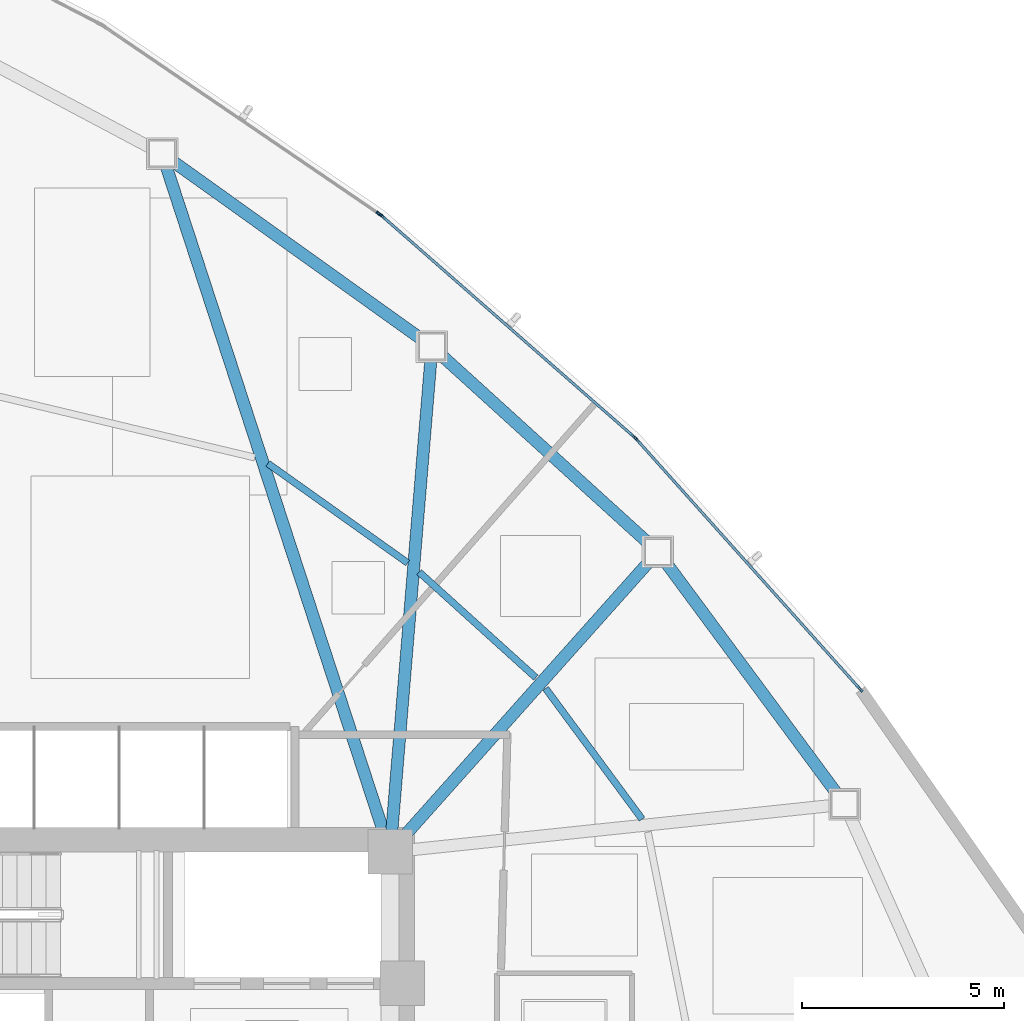
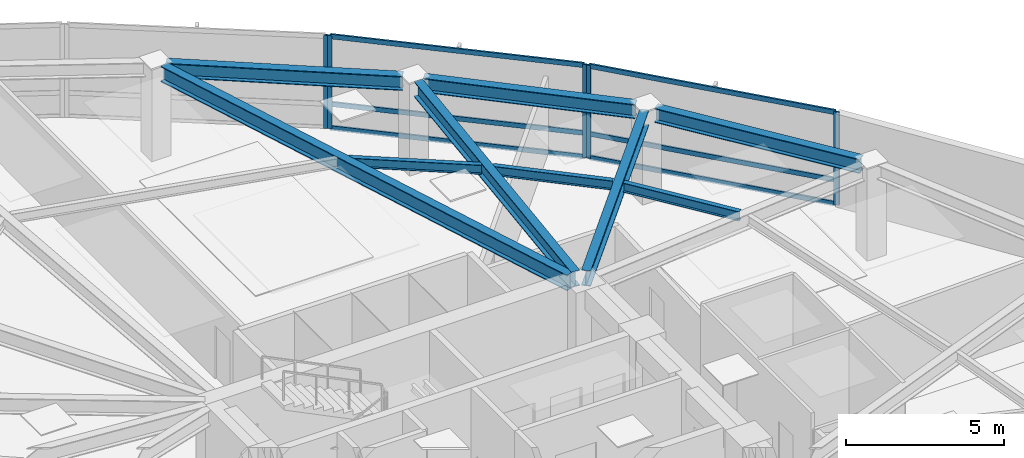
# One storey, part 9 of 17: 11 members, 9 beams, 3 elements without a shape of their own.
"""IFC4 building model written with IfcOpenShell, lengths in metres."""

from ifc_helpers import new_model, si_unit, direction, frame, origin, origin_2d, place, context, subcontext, project, spatial, hollow_rectangle, i_section, extrude, source, transform, mapped, material, layer, layer_set, material_profile, profile_set, type_object, type_shapes, element, aggregate, save


model = new_model("IFC4")

# Units and contexts
model_context = context("Model", 3, precision=1e-05, world=origin(), true_north=direction((0.0, 1.0)))
body_context = subcontext(model_context, "Body", "Model", "MODEL_VIEW")
ifc_project = project(units=[si_unit("LENGTHUNIT", "METRE"), si_unit("AREAUNIT", "SQUARE_METRE"), si_unit("VOLUMEUNIT", "CUBIC_METRE"), si_unit("PLANEANGLEUNIT", "RADIAN"), si_unit("MASSUNIT", "GRAM", prefix="KILO")], contexts=[model_context])

# Site, building, storey
site_placement = place(None, origin())
site = spatial("IfcSite", under=ifc_project, at=site_placement, CompositionType="ELEMENT")
building_placement = place(site_placement, origin())
building = spatial("IfcBuilding", under=site, at=building_placement, Name="Tavelor Broadcast Tower", CompositionType="ELEMENT")
storey_placement = place(building_placement, frame((0.0, 0.0, 90.0)))
storey = spatial("IfcBuildingStorey", under=building, at=storey_placement, Name="L21", CompositionType="ELEMENT", Elevation=90.0)

# Beams
ifc_material_1 = material(Name="Steel S355", Category="steel")
ifc_material_profile_1 = material_profile(ifc_material_1, i_section(OverallWidth=0.169921875, OverallDepth=0.360107421875, WebThickness=0.008056640625, FlangeThickness=0.0126953125, at=origin_2d()), Name="IPE 360")
ifc_profile_set_1 = profile_set([ifc_material_profile_1], Name="Steel S355")
beam_type_1 = type_object("IfcBeamType", Name="Composite Floor Joist T2 IPE 360", PredefinedType="JOIST", material=ifc_profile_set_1)
beam_1_placement = place(storey_placement, frame((62.831298828125, 52.012451171875, 3.419921875), z_axis=(-0.593748309908, 0.804650821463, 0.0), x_axis=(-0.804650821463, -0.593748309908, 0.0)))
element("IfcBeam", 1, at=beam_1_placement, inside=storey, type_object=beam_type_1, Name="L21 Secondary Composite Floor Joist 15", PredefinedType="JOIST", context=body_context, shape_type="SweptSolid", body=[
    extrude(i_section(OverallWidth=0.169921875, OverallDepth=0.360107421875, WebThickness=0.008056640625, FlangeThickness=0.0126953125, at=origin_2d()), origin(), (0.0, 0.0, 1.0), 4.016845703125),
])
beam_2_placement = place(storey_placement, frame((60.20458984375, 55.51171875, 3.419921875), z_axis=(-0.741870075826, 0.670543653011, 0.0), x_axis=(-0.670543653011, -0.741870075826, 0.0)))
element("IfcBeam", 2, at=beam_2_placement, inside=storey, type_object=beam_type_1, Name="L21 Secondary Composite Floor Joist 16", PredefinedType="JOIST", context=body_context, shape_type="SweptSolid", body=[
    extrude(i_section(OverallWidth=0.169921875, OverallDepth=0.360107421875, WebThickness=0.008056640625, FlangeThickness=0.0126953125, at=origin_2d()), origin(), (0.0, 0.0, 1.0), 3.891845703125),
])
beam_3_placement = place(storey_placement, frame((57.03564453125, 58.34765625, 3.419921875), z_axis=(-0.814948080737, 0.579533972864, 0.0), x_axis=(-0.579533972864, -0.814948080737, 0.0)))
element("IfcBeam", 3, at=beam_3_placement, inside=storey, type_object=beam_type_1, Name="L21 Secondary Composite Floor Joist 17", PredefinedType="JOIST", context=body_context, shape_type="SweptSolid", body=[
    extrude(i_section(OverallWidth=0.169921875, OverallDepth=0.360107421875, WebThickness=0.008056640625, FlangeThickness=0.0126953125, at=origin_2d()), origin(), (0.0, 0.0, 1.0), 4.24462890625),
])
ifc_material_profile_2 = material_profile(ifc_material_1, i_section(OverallWidth=0.300048828125, OverallDepth=0.550048828125, WebThickness=0.014892578125, FlangeThickness=0.029052734375, at=origin_2d()), Name="HEB 550")
ifc_profile_set_2 = profile_set([ifc_material_profile_2], Name="Steel S355")
beam_type_2 = type_object("IfcBeamType", Name="Perimeter Spandrel Beam T2 HEB 550", PredefinedType="SPANDREL", material=ifc_profile_set_2)
beam_4_placement = place(storey_placement, frame((67.640869140625, 52.652587890625, 3.324951171875), z_axis=(-0.594676591659, 0.803965018724, 0.0), x_axis=(-0.803965018724, -0.594676591659, 0.0)))
element("IfcBeam", 4, at=beam_4_placement, inside=storey, type_object=beam_type_2, Name="L21 Framed-Tube Ring Spandrel 15", PredefinedType="SPANDREL", context=body_context, shape_type="SweptSolid", body=[
    extrude(i_section(OverallWidth=0.300048828125, OverallDepth=0.550048828125, WebThickness=0.014892578125, FlangeThickness=0.029052734375, at=origin_2d()), origin(), (0.0, 0.0, 1.0), 7.09130859375),
])
beam_5_placement = place(storey_placement, frame((62.975341796875, 58.849609375, 3.324951171875), z_axis=(-0.740416987409, 0.672147814663, 0.0), x_axis=(-0.672147814663, -0.740416987409, 0.0)))
element("IfcBeam", 5, at=beam_5_placement, inside=storey, type_object=beam_type_2, Name="L21 Framed-Tube Ring Spandrel 16", PredefinedType="SPANDREL", context=body_context, shape_type="SweptSolid", body=[
    extrude(i_section(OverallWidth=0.300048828125, OverallDepth=0.550048828125, WebThickness=0.014892578125, FlangeThickness=0.029052734375, at=origin_2d()), origin(), (0.0, 0.0, 1.0), 6.876953125),
])
beam_6_placement = place(storey_placement, frame((57.361572265625, 63.893310546875, 3.324951171875), z_axis=(-0.813492458128, 0.581575464208, 0.0), x_axis=(-0.581575464208, -0.813492458128, 0.0)))
element("IfcBeam", 6, at=beam_6_placement, inside=storey, type_object=beam_type_2, Name="L21 Framed-Tube Ring Spandrel 17", PredefinedType="SPANDREL", context=body_context, shape_type="SweptSolid", body=[
    extrude(i_section(OverallWidth=0.300048828125, OverallDepth=0.550048828125, WebThickness=0.014892578125, FlangeThickness=0.029052734375, at=origin_2d()), origin(), (0.0, 0.0, 1.0), 7.531005859375),
])
ifc_material_profile_3 = material_profile(ifc_material_1, i_section(OverallWidth=0.300048828125, OverallDepth=0.60009765625, WebThickness=0.015380859375, FlangeThickness=0.030029296875, at=origin_2d()), Name="HEB 600")
ifc_profile_set_3 = profile_set([ifc_material_profile_3], Name="Steel S355")
beam_type_3 = type_object("IfcBeamType", Name="Radial Floor Girder T2 HEB 600", PredefinedType="BEAM", material=ifc_profile_set_3)
beam_7_placement = place(storey_placement, frame((56.951416015625, 51.593994140625, 3.300048828125), z_axis=(0.665778646807, 0.74614931043, 0.0), x_axis=(-0.74614931043, 0.665778646807, 0.0)))
element("IfcBeam", 7, at=beam_7_placement, inside=storey, type_object=beam_type_3, Name="L21 Radial Primary Floor Girder 16", PredefinedType="BEAM", context=body_context, shape_type="SweptSolid", body=[
    extrude(i_section(OverallWidth=0.300048828125, OverallDepth=0.60009765625, WebThickness=0.015380859375, FlangeThickness=0.030029296875, at=origin_2d()), origin(), (0.0, 0.0, 1.0), 9.085693359375),
])
beam_8_placement = place(storey_placement, frame((56.6435546875, 51.726318359375, 3.300048828125), z_axis=(0.082528077466, 0.996588739867, 0.0), x_axis=(-0.996588739867, 0.082528077466, 0.0)))
element("IfcBeam", 8, at=beam_8_placement, inside=storey, type_object=beam_type_3, Name="L21 Radial Primary Floor Girder 17", PredefinedType="BEAM", context=body_context, shape_type="SweptSolid", body=[
    extrude(i_section(OverallWidth=0.300048828125, OverallDepth=0.60009765625, WebThickness=0.015380859375, FlangeThickness=0.030029296875, at=origin_2d()), origin(), (0.0, 0.0, 1.0), 11.67626953125),
])
beam_9_placement = place(storey_placement, frame((56.43603515625, 51.701904296875, 3.300048828125), z_axis=(-0.310367170997, 0.950616757251, 0.0), x_axis=(-0.950616757251, -0.310367170997, 0.0)))
element("IfcBeam", 9, at=beam_9_placement, inside=storey, type_object=beam_type_3, Name="L21 Radial Primary Floor Girder 18", PredefinedType="BEAM", context=body_context, shape_type="SweptSolid", body=[
    extrude(i_section(OverallWidth=0.300048828125, OverallDepth=0.60009765625, WebThickness=0.015380859375, FlangeThickness=0.030029296875, at=origin_2d()), origin(), (0.0, 0.0, 1.0), 17.3017578125),
])

# Curtain wall, members
ifc_material_2 = material(Name="Architectural Anodized Aluminium", Category="aluminium")
ifc_layer = layer(ifc_material_2, 0.179931640625)
ifc_layer_set = layer_set([ifc_layer], Name="Architectural Anodized Aluminium")
curtain_wall_type = type_object("IfcCurtainWallType", Name="Tower Low-Zone Unitised Curtain Wall CW02", PredefinedType="NOTDEFINED", material=ifc_layer_set)
curtain_wall_1_placement = place(storey_placement, origin())
curtain_wall_1 = element("IfcCurtainWall", 10, at=curtain_wall_1_placement, inside=storey, type_object=curtain_wall_type, Name="L21 Curtain Wall CW02 Run 213", PredefinedType="NOTDEFINED")
ifc_material_profile_4 = material_profile(ifc_material_2, hollow_rectangle(XDim=0.06494140625, YDim=0.179931640625, WallThickness=0.02197265625, at=origin_2d()), Name="RHS 65x180x22")
ifc_profile_set_4 = profile_set([ifc_material_profile_4], Name="Architectural Anodized Aluminium")
member_type_1 = type_object("IfcMemberType", Name="CW02 Extruded Aluminium Mullion 65x180", PredefinedType="MULLION", material=ifc_profile_set_4)
shared_shape_1 = source(origin(), body_context, "Body", "SweptSolid", [
    extrude(hollow_rectangle(XDim=0.06494140625, YDim=0.179931640625, WallThickness=0.02197265625, at=origin_2d()), origin(), (0.0, 0.0, 1.0), 3.60009765625),
])
type_shapes(member_type_1, [shared_shape_1])
member_1_placement = place(storey_placement, frame((68.221435546875, 55.228515625, 0.0), z_axis=(0.0, 0.0, 1.0), x_axis=(-0.745176778207, -0.666866980155, 0.0)))
member_1 = element("IfcMember", 11, at=member_1_placement, type_object=member_type_1, Name="CW02 mullion 1", PredefinedType="MULLION", context=body_context, shape_type="MappedRepresentation", body=[
    mapped(shared_shape_1, transform((0.0, 0.0, 0.0), scale=1.0)),
])
member_2_placement = place(storey_placement, frame((62.697265625, 61.4013671875, 0.0), z_axis=(0.0, 0.0, 1.0), x_axis=(-0.745176778207, -0.666866980155, 0.0)))
member_2 = element("IfcMember", 12, at=member_2_placement, type_object=member_type_1, Name="CW02 mullion 2", PredefinedType="MULLION", context=body_context, shape_type="MappedRepresentation", body=[
    mapped(shared_shape_1, transform((0.0, 0.0, 0.0), scale=1.0)),
])

curtain_wall_2_placement = place(storey_placement, origin())
curtain_wall_2 = element("IfcCurtainWall", 13, at=curtain_wall_2_placement, inside=storey, type_object=curtain_wall_type, Name="L21 Curtain Wall CW02 Run 214", PredefinedType="NOTDEFINED")
member_3_placement = place(storey_placement, frame((62.6298828125, 61.46826171875, 0.0), z_axis=(0.0, 0.0, 1.0), x_axis=(-0.659009064138, -0.752134996782, 0.0)))
member_3 = element("IfcMember", 14, at=member_3_placement, type_object=member_type_1, Name="CW02 mullion 1", PredefinedType="MULLION", context=body_context, shape_type="MappedRepresentation", body=[
    mapped(shared_shape_1, transform((0.0, 0.0, 0.0), scale=1.0)),
])
member_4_placement = place(storey_placement, frame((56.41064453125, 66.91748046875, 0.0), z_axis=(0.0, 0.0, 1.0), x_axis=(-0.659009064138, -0.752134996782, 0.0)))
member_4 = element("IfcMember", 15, at=member_4_placement, type_object=member_type_1, Name="CW02 mullion 2", PredefinedType="MULLION", context=body_context, shape_type="MappedRepresentation", body=[
    mapped(shared_shape_1, transform((0.0, 0.0, 0.0), scale=1.0)),
])

# Curtain wall, member
curtain_wall_3_placement = place(storey_placement, origin())
curtain_wall_3 = element("IfcCurtainWall", 16, at=curtain_wall_3_placement, inside=storey, type_object=curtain_wall_type, Name="L21 Curtain Wall CW02 Run 215", PredefinedType="NOTDEFINED")
member_5_placement = place(storey_placement, frame((56.335693359375, 66.9755859375, 0.0), z_axis=(0.0, 0.0, 1.0), x_axis=(-0.563166658755, -0.826343339337, 0.0)))
member_5 = element("IfcMember", 17, at=member_5_placement, type_object=member_type_1, Name="CW02 mullion 1", PredefinedType="MULLION", context=body_context, shape_type="MappedRepresentation", body=[
    mapped(shared_shape_1, transform((0.0, 0.0, 0.0), scale=1.0)),
])
aggregate(curtain_wall_3, [member_5])

# Member
ifc_material_profile_5 = material_profile(ifc_material_2, hollow_rectangle(XDim=0.06494140625, YDim=0.179931640625, WallThickness=0.02197265625, at=origin_2d()), Name="RHS 65x180x22")
ifc_profile_set_5 = profile_set([ifc_material_profile_5], Name="Architectural Anodized Aluminium")
member_type_2 = type_object("IfcMemberType", Name="CW02 Extruded Aluminium Transom 65x180", PredefinedType="USERDEFINED", material=ifc_profile_set_5)
shared_shape_2 = source(origin(), body_context, "Body", "SweptSolid", [
    extrude(hollow_rectangle(XDim=0.06494140625, YDim=0.179931640625, WallThickness=0.02197265625, at=origin_2d()), origin(), (0.0, 0.0, 1.0), 8.218994140625),
])
member_6_placement = place(storey_placement, frame((68.199951171875, 55.252685546875, 0.032470703125), z_axis=(-0.666871265679, 0.745172943021, 0.0), x_axis=(-0.745172943021, -0.666871265679, 0.0)))
member_6 = element("IfcMember", 18, at=member_6_placement, type_object=member_type_2, Name="CW02 transom 1.1", ObjectType="TRANSOM", PredefinedType="USERDEFINED", context=body_context, shape_type="MappedRepresentation", body=[
    mapped(shared_shape_2, transform((0.0, 0.0, 0.0), scale=1.0)),
])

member_7_placement = place(storey_placement, frame((68.199951171875, 55.252685546875, 0.949951171875), z_axis=(-0.666871265679, 0.745172943021, 0.0), x_axis=(-0.745172943021, -0.666871265679, 0.0)))
member_7 = element("IfcMember", 19, at=member_7_placement, type_object=member_type_2, Name="CW02 transom 1.2", ObjectType="TRANSOM", PredefinedType="USERDEFINED", context=body_context, shape_type="MappedRepresentation", body=[
    mapped(shared_shape_2, transform((0.0, 0.0, 0.0), scale=1.0)),
])

member_8_placement = place(storey_placement, frame((68.199951171875, 55.252685546875, 3.5673828125), z_axis=(-0.666871265679, 0.745172943021, 0.0), x_axis=(-0.745172943021, -0.666871265679, 0.0)))
member_8 = element("IfcMember", 20, at=member_8_placement, type_object=member_type_2, Name="CW02 transom 1.3", ObjectType="TRANSOM", PredefinedType="USERDEFINED", context=body_context, shape_type="MappedRepresentation", body=[
    mapped(shared_shape_2, transform((0.0, 0.0, 0.0), scale=1.0)),
])

aggregate(curtain_wall_1, [member_1, member_2, member_6, member_7, member_8])

shared_shape_3 = source(origin(), body_context, "Body", "SweptSolid", [
    extrude(hollow_rectangle(XDim=0.06494140625, YDim=0.179931640625, WallThickness=0.02197265625, at=origin_2d()), origin(), (0.0, 0.0, 1.0), 8.203857421875),
])
type_shapes(member_type_2, [shared_shape_2, shared_shape_3])
member_9_placement = place(storey_placement, frame((62.60546875, 61.48974609375, 0.032470703125), z_axis=(-0.752145150118, 0.658997475833, 0.0), x_axis=(-0.658997475833, -0.752145150118, 0.0)))
member_9 = element("IfcMember", 21, at=member_9_placement, type_object=member_type_2, Name="CW02 transom 1.1", ObjectType="TRANSOM", PredefinedType="USERDEFINED", context=body_context, shape_type="MappedRepresentation", body=[
    mapped(shared_shape_3, transform((0.0, 0.0, 0.0), scale=1.0)),
])

member_10_placement = place(storey_placement, frame((62.60546875, 61.48974609375, 0.949951171875), z_axis=(-0.752145150118, 0.658997475833, 0.0), x_axis=(-0.658997475833, -0.752145150118, 0.0)))
member_10 = element("IfcMember", 22, at=member_10_placement, type_object=member_type_2, Name="CW02 transom 1.2", ObjectType="TRANSOM", PredefinedType="USERDEFINED", context=body_context, shape_type="MappedRepresentation", body=[
    mapped(shared_shape_3, transform((0.0, 0.0, 0.0), scale=1.0)),
])

member_11_placement = place(storey_placement, frame((62.60546875, 61.48974609375, 3.5673828125), z_axis=(-0.752145150118, 0.658997475833, 0.0), x_axis=(-0.658997475833, -0.752145150118, 0.0)))
member_11 = element("IfcMember", 23, at=member_11_placement, type_object=member_type_2, Name="CW02 transom 1.3", ObjectType="TRANSOM", PredefinedType="USERDEFINED", context=body_context, shape_type="MappedRepresentation", body=[
    mapped(shared_shape_3, transform((0.0, 0.0, 0.0), scale=1.0)),
])

aggregate(curtain_wall_2, [member_3, member_4, member_9, member_10, member_11])

save(model, "model.ifc")
